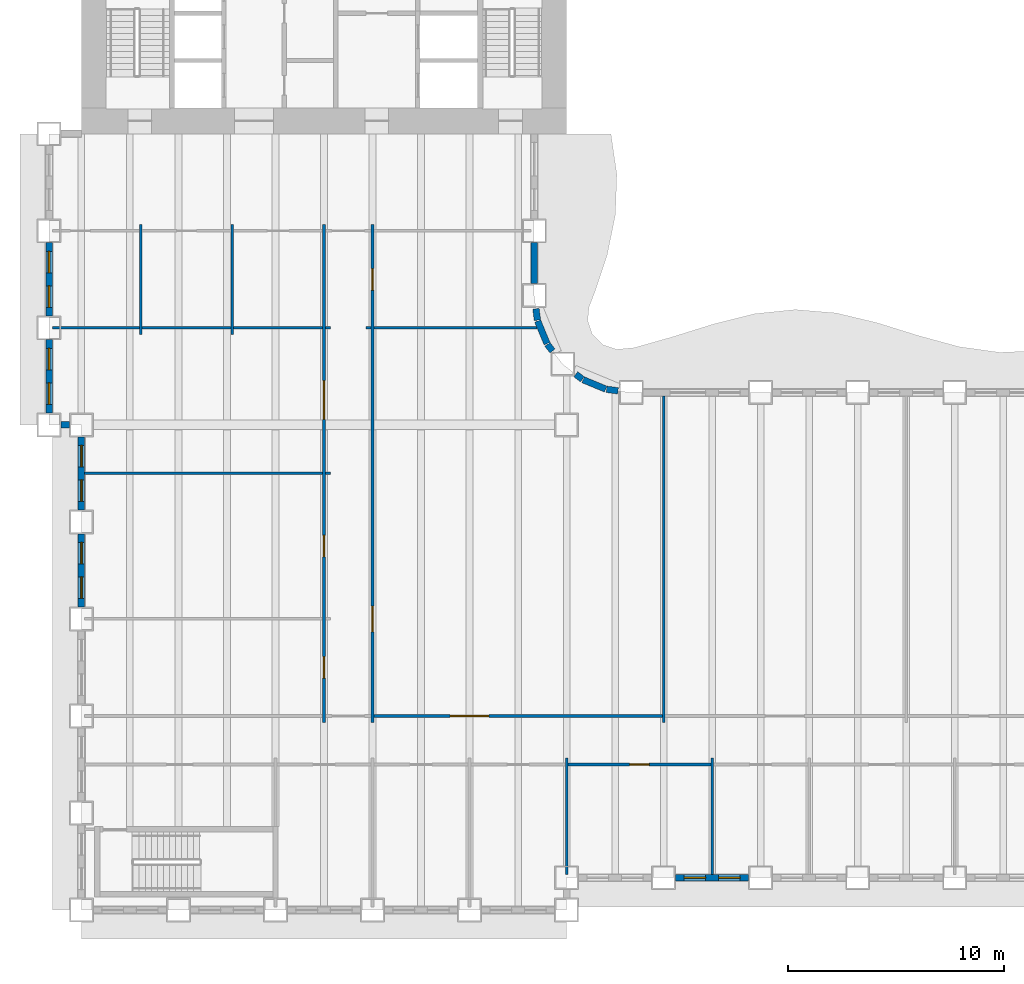
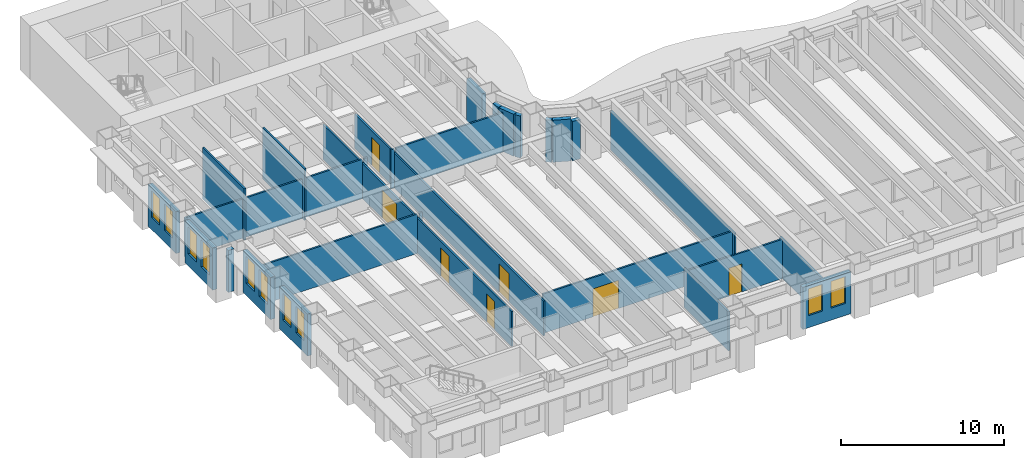
# One storey, part 4 of 17: 30 walls, 10 windows, 7 doors, 17 openings.
"""IFC4 building model written with IfcOpenShell, lengths in metres."""

from ifc_helpers import new_model, si_unit, direction, frame, frame_2d, origin, place, context, subcontext, project, spatial, rectangle, extrude, material, layer, layer_set, type_object, element, fill, save


model = new_model("IFC4")

# Units and contexts
model_context = context("Model", 3, precision=1e-05, world=origin(), true_north=direction((0.0, 1.0)))
body_context = subcontext(model_context, "Body", "Model", "MODEL_VIEW")
ifc_project = project(units=[si_unit("LENGTHUNIT", "METRE"), si_unit("AREAUNIT", "SQUARE_METRE"), si_unit("VOLUMEUNIT", "CUBIC_METRE"), si_unit("PLANEANGLEUNIT", "RADIAN"), si_unit("MASSUNIT", "GRAM", prefix="KILO")], contexts=[model_context])

# Site, building, storey
site_placement = place(None, origin())
site = spatial("IfcSite", under=ifc_project, at=site_placement, CompositionType="ELEMENT")
building_placement = place(site_placement, origin())
building = spatial("IfcBuilding", under=site, at=building_placement, Name="Sennacour Bend Tower", CompositionType="ELEMENT")
storey_placement = place(building_placement, frame((0.0, 0.0, 53.0)))
storey = spatial("IfcBuildingStorey", under=building, at=storey_placement, Name="L11", CompositionType="ELEMENT", Elevation=53.0)

# Walls
ifc_material_1 = material(Name="Plasterboard partition on steel studs", Category="steel")
ifc_layer_1 = layer(ifc_material_1, 0.1201171875, Name="Plasterboard partition on steel studs", Category="steel")
ifc_layer_set_1 = layer_set([ifc_layer_1], Name="Plasterboard partition on steel studs")
wall_type_1 = type_object("IfcWallType", Name="Partition 120", PredefinedType="PARTITIONING", material=ifc_layer_set_1)
for number, where, z_axis, x_axis, name in (
    (1, (2.75, 26.699951171875, 0.0), (0.0, 0.0, 1.0), (0.0, 1.0, 0.0), "P-L11-W005a"),
    (2, (7.0, 26.699951171875, 0.0), (0.0, 0.0, 1.0), (0.0, 1.0, 0.0), "P-L11-W009a"),
):
    element("IfcWall", number, at=place(storey_placement, frame(where, z_axis=z_axis, x_axis=x_axis)), inside=storey, type_object=wall_type_1, Name=name, PredefinedType="PARTITIONING", context=body_context, shape_type="SweptSolid", body=[
        extrude(rectangle(XDim=5.10009765625, YDim=0.1201171875, at=frame_2d((2.550048828125, 0.0))), origin(), (0.0, 0.0, 1.0), 3.85009765625),
    ])

# Wall, openings, doors
wall_1_placement = place(storey_placement, frame((11.25, 8.699951171875, 0.0), z_axis=(0.0, 0.0, 1.0), x_axis=(0.0, 1.0, 0.0)))
wall_1 = element("IfcWall", 3, at=wall_1_placement, inside=storey, type_object=wall_type_1, Name="P-L11-W014a", PredefinedType="PARTITIONING", context=body_context, shape_type="SweptSolid", body=[
    extrude(rectangle(XDim=23.10009765625, YDim=0.1201171875, at=frame_2d((11.550048828125, 0.0))), origin(), (0.0, 0.0, 1.0), 2.60009765625),
])
opening_1_placement = place(wall_1_placement, frame((2.050048828125, 0.0, 0.0)))
opening_1 = element("IfcOpeningElement", 4, at=opening_1_placement, cuts=wall_1, Name="Opening OD2", PredefinedType="OPENING", context=body_context, shape_type="SweptSolid", body=[
    extrude(rectangle(XDim=1.0, YDim=2.10009765625, at=frame_2d((0.5, 1.050048828125))), frame((0.0, 0.070068359375, 0.0), z_axis=(0.0, -1.0, 0.0), x_axis=(1.0, 0.0, 0.0)), (0.0, 0.0, 1.0), 0.14013671875),
])
opening_2_placement = place(wall_1_placement, frame((7.675048828125, 0.0, 0.0)))
opening_2 = element("IfcOpeningElement", 5, at=opening_2_placement, cuts=wall_1, Name="Opening OD2", PredefinedType="OPENING", context=body_context, shape_type="SweptSolid", body=[
    extrude(rectangle(XDim=1.0, YDim=2.10009765625, at=frame_2d((0.5, 1.050048828125))), frame((0.0, 0.070068359375, 0.0), z_axis=(0.0, -1.0, 0.0), x_axis=(1.0, 0.0, 0.0)), (0.0, 0.0, 1.0), 0.14013671875),
])
opening_3_placement = place(wall_1_placement, frame((14.054931640625, 0.0, 0.0)))
opening_3 = element("IfcOpeningElement", 6, at=opening_3_placement, cuts=wall_1, Name="Opening OD3", PredefinedType="OPENING", context=body_context, shape_type="SweptSolid", body=[
    extrude(rectangle(XDim=1.800048828125, YDim=2.10009765625, at=frame_2d((0.89990234375, 1.050048828125))), frame((0.0, 0.070068359375, 0.0), z_axis=(0.0, -1.0, 0.0), x_axis=(1.0, 0.0, 0.0)), (0.0, 0.0, 1.0), 0.14013671875),
])
ifc_material_2 = material(Name="Timber", Category="wood")
door_type_1 = type_object("IfcDoorType", Name="DR-OFFICE-1000", OperationType="NOTDEFINED", PredefinedType="DOOR", material=ifc_material_2)
door_1_placement = place(opening_1_placement, origin())
door_1 = element("IfcDoor", 7, at=door_1_placement, inside=storey, type_object=door_type_1, Name="Door", OperationType="SINGLE_SWING_LEFT", OverallHeight=2.10009765625, OverallWidth=1.0, PredefinedType="DOOR", context=body_context, shape_type="SweptSolid", body=[
    extrude(rectangle(XDim=1.0, YDim=2.10009765625, at=frame_2d((0.5, 1.050048828125))), frame((0.0, 0.02490234375, 0.0), z_axis=(0.0, -1.0, 0.0), x_axis=(1.0, 0.0, 0.0)), (0.0, 0.0, 1.0), 0.050048828125),
])
fill(opening_1, door_1)
door_2_placement = place(opening_2_placement, origin())
door_2 = element("IfcDoor", 8, at=door_2_placement, inside=storey, type_object=door_type_1, Name="Door", OperationType="SINGLE_SWING_LEFT", OverallHeight=2.10009765625, OverallWidth=1.0, PredefinedType="DOOR", context=body_context, shape_type="SweptSolid", body=[
    extrude(rectangle(XDim=1.0, YDim=2.10009765625, at=frame_2d((0.5, 1.050048828125))), frame((0.0, 0.02490234375, 0.0), z_axis=(0.0, -1.0, 0.0), x_axis=(1.0, 0.0, 0.0)), (0.0, 0.0, 1.0), 0.050048828125),
])
fill(opening_2, door_2)
door_type_2 = type_object("IfcDoorType", Name="DR-OFFICE-1800", OperationType="NOTDEFINED", PredefinedType="DOOR", material=ifc_material_2)
door_3_placement = place(opening_3_placement, origin())
door_3 = element("IfcDoor", 9, at=door_3_placement, inside=storey, type_object=door_type_2, Name="Door", OperationType="DOUBLE_DOOR_SINGLE_SWING", OverallHeight=2.10009765625, OverallWidth=1.800048828125, PredefinedType="DOOR", context=body_context, shape_type="SweptSolid", body=[
    extrude(rectangle(XDim=1.800048828125, YDim=2.10009765625, at=frame_2d((0.89990234375, 1.050048828125))), frame((0.0, 0.02490234375, 0.0), z_axis=(0.0, -1.0, 0.0), x_axis=(1.0, 0.0, 0.0)), (0.0, 0.0, 1.0), 0.050048828125),
])
fill(opening_3, door_3)

wall_2_placement = place(storey_placement, frame((13.5, 8.699951171875, 0.0), z_axis=(0.0, 0.0, 1.0), x_axis=(0.0, 1.0, 0.0)))
wall_2 = element("IfcWall", 10, at=wall_2_placement, inside=storey, type_object=wall_type_1, Name="P-L11-W017a", PredefinedType="PARTITIONING", context=body_context, shape_type="SweptSolid", body=[
    extrude(rectangle(XDim=23.10009765625, YDim=0.1201171875, at=frame_2d((11.550048828125, 0.0))), origin(), (0.0, 0.0, 1.0), 2.60009765625),
])
opening_4_placement = place(wall_2_placement, frame((20.050048828125, 0.0, 0.0)))
opening_4 = element("IfcOpeningElement", 11, at=opening_4_placement, cuts=wall_2, Name="Opening OD2", PredefinedType="OPENING", context=body_context, shape_type="SweptSolid", body=[
    extrude(rectangle(XDim=1.0, YDim=2.10009765625, at=frame_2d((0.5, 1.050048828125))), frame((0.0, 0.070068359375, 0.0), z_axis=(0.0, -1.0, 0.0), x_axis=(1.0, 0.0, 0.0)), (0.0, 0.0, 1.0), 0.14013671875),
])
opening_5_placement = place(wall_2_placement, frame((4.199951171875, 0.0, 0.0)))
opening_5 = element("IfcOpeningElement", 12, at=opening_5_placement, cuts=wall_2, Name="Opening MD", PredefinedType="OPENING", context=body_context, shape_type="SweptSolid", body=[
    extrude(rectangle(XDim=1.199951171875, YDim=2.10009765625, at=frame_2d((0.60009765625, 1.050048828125))), frame((0.0, 0.070068359375, 0.0), z_axis=(0.0, -1.0, 0.0), x_axis=(1.0, 0.0, 0.0)), (0.0, 0.0, 1.0), 0.14013671875),
])
door_type_3 = type_object("IfcDoorType", Name="DR-MEETING-1200", OperationType="NOTDEFINED", PredefinedType="DOOR", material=ifc_material_2)
door_4_placement = place(opening_5_placement, origin())
door_4 = element("IfcDoor", 13, at=door_4_placement, inside=storey, type_object=door_type_3, Name="Door", OperationType="SINGLE_SWING_LEFT", OverallHeight=2.10009765625, OverallWidth=1.199951171875, PredefinedType="DOOR", context=body_context, shape_type="SweptSolid", body=[
    extrude(rectangle(XDim=1.199951171875, YDim=2.10009765625, at=frame_2d((0.60009765625, 1.050048828125))), frame((0.0, 0.02490234375, 0.0), z_axis=(0.0, -1.0, 0.0), x_axis=(1.0, 0.0, 0.0)), (0.0, 0.0, 1.0), 0.050048828125),
])
fill(opening_5, door_4)
door_5_placement = place(opening_4_placement, origin())
door_5 = element("IfcDoor", 14, at=door_5_placement, inside=storey, type_object=door_type_1, Name="Door", OperationType="SINGLE_SWING_RIGHT", OverallHeight=2.10009765625, OverallWidth=1.0, PredefinedType="DOOR", context=body_context, shape_type="SweptSolid", body=[
    extrude(rectangle(XDim=1.0, YDim=2.10009765625, at=frame_2d((0.5, 1.050048828125))), frame((0.0, 0.02490234375, 0.0), z_axis=(0.0, -1.0, 0.0), x_axis=(1.0, 0.0, 0.0)), (0.0, 0.0, 1.0), 0.050048828125),
])
fill(opening_4, door_5)

# Walls
wall_3_placement = place(storey_placement, frame((22.5, 1.64990234375, 0.0), z_axis=(0.0, 0.0, 1.0), x_axis=(0.0, 1.0, 0.0)))
element("IfcWall", 15, at=wall_3_placement, inside=storey, type_object=wall_type_1, Name="P-L11-W026a", PredefinedType="PARTITIONING", context=body_context, shape_type="SweptSolid", body=[
    extrude(rectangle(XDim=5.400146484375, YDim=0.1201171875, at=frame_2d((2.7001953125, 0.0))), origin(), (0.0, 0.0, 1.0), 2.93798828125),
])
wall_4_placement = place(storey_placement, frame((27.0, 8.699951171875, 0.0), z_axis=(0.0, 0.0, 1.0), x_axis=(0.0, 1.0, 0.0)))
element("IfcWall", 16, at=wall_4_placement, inside=storey, type_object=wall_type_1, Name="P-L11-W027a", PredefinedType="PARTITIONING", context=body_context, shape_type="SweptSolid", body=[
    extrude(rectangle(XDim=15.150146484375, YDim=0.1201171875, at=frame_2d((7.5751953125, 0.0))), origin(), (0.0, 0.0, 1.0), 2.93798828125),
])
wall_5_placement = place(storey_placement, frame((29.25, 1.64990234375, 0.0), z_axis=(0.0, 0.0, 1.0), x_axis=(0.0, 1.0, 0.0)))
element("IfcWall", 17, at=wall_5_placement, inside=storey, type_object=wall_type_1, Name="P-L11-W028a", PredefinedType="PARTITIONING", context=body_context, shape_type="SweptSolid", body=[
    extrude(rectangle(XDim=5.400146484375, YDim=0.1201171875, at=frame_2d((2.7001953125, 0.0))), origin(), (0.0, 0.0, 1.0), 2.93798828125),
])

# Wall, opening, door
wall_6_placement = place(storey_placement, frame((13.56005859375, 9.0, 0.0), z_axis=(0.0, 0.0, 1.0), x_axis=(1.0, 0.0, 0.0)))
wall_6 = element("IfcWall", 18, at=wall_6_placement, inside=storey, type_object=wall_type_1, Name="P-L11-W062ac", PredefinedType="PARTITIONING", context=body_context, shape_type="SweptSolid", body=[
    extrude(rectangle(XDim=13.3798828125, YDim=0.1201171875, at=frame_2d((6.68994140625, 0.0))), origin(), (0.0, 0.0, 1.0), 2.93798828125),
])
opening_6_placement = place(wall_6_placement, frame((3.539794921875, 0.0, 0.0)))
opening_6 = element("IfcOpeningElement", 19, at=opening_6_placement, cuts=wall_6, Name="Opening MD3", PredefinedType="OPENING", context=body_context, shape_type="SweptSolid", body=[
    extrude(rectangle(XDim=1.800048828125, YDim=2.10009765625, at=frame_2d((0.89990234375, 1.050048828125))), frame((0.0, 0.070068359375, 0.0), z_axis=(0.0, -1.0, 0.0), x_axis=(1.0, 0.0, 0.0)), (0.0, 0.0, 1.0), 0.14013671875),
])
door_type_4 = type_object("IfcDoorType", Name="DR-MEETING-1800", OperationType="NOTDEFINED", PredefinedType="DOOR", material=ifc_material_2)
door_6_placement = place(opening_6_placement, origin())
door_6 = element("IfcDoor", 20, at=door_6_placement, inside=storey, type_object=door_type_4, Name="Door", OperationType="DOUBLE_DOOR_SINGLE_SWING", OverallHeight=2.10009765625, OverallWidth=1.800048828125, PredefinedType="DOOR", context=body_context, shape_type="SweptSolid", body=[
    extrude(rectangle(XDim=1.800048828125, YDim=2.10009765625, at=frame_2d((0.89990234375, 1.050048828125))), frame((0.0, 0.02490234375, 0.0), z_axis=(0.0, -1.0, 0.0), x_axis=(1.0, 0.0, 0.0)), (0.0, 0.0, 1.0), 0.050048828125),
])
fill(opening_6, door_6)

# Walls
wall_7_placement = place(storey_placement, frame((0.14990234375, 20.25, 0.0), z_axis=(0.0, 0.0, 1.0), x_axis=(1.0, 0.0, 0.0)))
element("IfcWall", 21, at=wall_7_placement, inside=storey, type_object=wall_type_1, Name="P-L11-W072aa", PredefinedType="PARTITIONING", context=body_context, shape_type="SweptSolid", body=[
    extrude(rectangle(XDim=11.0400390625, YDim=0.1201171875, at=frame_2d((5.52001953125, 0.0))), origin(), (0.0, 0.0, 1.0), 2.93798828125),
])
wall_8_placement = place(storey_placement, frame((11.31005859375, 20.25, 0.0), z_axis=(0.0, 0.0, 1.0), x_axis=(1.0, 0.0, 0.0)))
element("IfcWall", 22, at=wall_8_placement, inside=storey, type_object=wall_type_1, Name="P-L11-W072ab", PredefinedType="PARTITIONING", context=body_context, shape_type="SweptSolid", body=[
    extrude(rectangle(XDim=0.239990234375, YDim=0.1201171875, at=frame_2d((0.1201171875, 0.0))), origin(), (0.0, 0.0, 1.0), 2.93798828125),
])
wall_9_placement = place(storey_placement, frame((-1.35009765625, 27.0, 0.0), z_axis=(0.0, 0.0, 1.0), x_axis=(1.0, 0.0, 0.0)))
element("IfcWall", 23, at=wall_9_placement, inside=storey, type_object=wall_type_1, Name="P-L11-W074aa", PredefinedType="PARTITIONING", context=body_context, shape_type="SweptSolid", body=[
    extrude(rectangle(XDim=4.0400390625, YDim=0.1201171875, at=frame_2d((2.02001953125, 0.0))), origin(), (0.0, 0.0, 1.0), 2.93798828125),
])
for number, where, z_axis, x_axis, name in (
    (24, (2.81005859375, 27.0, 0.0), (0.0, 0.0, 1.0), (1.0, 0.0, 0.0), "P-L11-W074ab"),
    (25, (7.06005859375, 27.0, 0.0), (0.0, 0.0, 1.0), (1.0, 0.0, 0.0), "P-L11-W074ac"),
):
    element("IfcWall", number, at=place(storey_placement, frame(where, z_axis=z_axis, x_axis=x_axis)), inside=storey, type_object=wall_type_1, Name=name, PredefinedType="PARTITIONING", context=body_context, shape_type="SweptSolid", body=[
        extrude(rectangle(XDim=4.1298828125, YDim=0.1201171875, at=frame_2d((2.06494140625, 0.0))), origin(), (0.0, 0.0, 1.0), 2.93798828125),
    ])
for number, where, z_axis, x_axis, name in (
    (26, (11.31005859375, 27.0, 0.0), (0.0, 0.0, 1.0), (1.0, 0.0, 0.0), "P-L11-W074ad"),
    (27, (13.199951171875, 27.0, 0.0), (0.0, 0.0, 1.0), (1.0, 0.0, 0.0), "P-L11-W075aa"),
):
    element("IfcWall", number, at=place(storey_placement, frame(where, z_axis=z_axis, x_axis=x_axis)), inside=storey, type_object=wall_type_1, Name=name, PredefinedType="PARTITIONING", context=body_context, shape_type="SweptSolid", body=[
        extrude(rectangle(XDim=0.239990234375, YDim=0.1201171875, at=frame_2d((0.1201171875, 0.0))), origin(), (0.0, 0.0, 1.0), 2.93798828125),
    ])
wall_10_placement = place(storey_placement, frame((13.56005859375, 27.0, 0.0), z_axis=(0.0, 0.0, 1.0), x_axis=(1.0, 0.0, 0.0)))
element("IfcWall", 28, at=wall_10_placement, inside=storey, type_object=wall_type_1, Name="P-L11-W075ab", PredefinedType="PARTITIONING", context=body_context, shape_type="SweptSolid", body=[
    extrude(rectangle(XDim=7.56982421875, YDim=0.1201171875, at=frame_2d((3.784912109375, 0.0))), origin(), (0.0, 0.0, 1.0), 2.93798828125),
])

# Wall, opening, door
ifc_layer_2 = layer(ifc_material_1, 0.1201171875, Name="Plasterboard partition on steel studs", Category="steel")
ifc_layer_set_2 = layer_set([ifc_layer_2], Name="Plasterboard partition on steel studs")
wall_type_2 = type_object("IfcWallType", Name="Partition 120 EI 60", PredefinedType="PARTITIONING", material=ifc_layer_set_2)
wall_11_placement = place(storey_placement, frame((22.56005859375, 6.75, 0.0), z_axis=(0.0, 0.0, 1.0), x_axis=(1.0, 0.0, 0.0)))
wall_11 = element("IfcWall", 29, at=wall_11_placement, inside=storey, type_object=wall_type_2, Name="P-L11-W061ae", PredefinedType="PARTITIONING", context=body_context, shape_type="SweptSolid", body=[
    extrude(rectangle(XDim=6.6298828125, YDim=0.1201171875, at=frame_2d((3.31494140625, 0.0))), origin(), (0.0, 0.0, 1.0), 2.93798828125),
])
opening_7_placement = place(wall_11_placement, frame((2.864990234375, 0.0, 0.0)))
opening_7 = element("IfcOpeningElement", 30, at=opening_7_placement, cuts=wall_11, Name="Opening SV", PredefinedType="OPENING", context=body_context, shape_type="SweptSolid", body=[
    extrude(rectangle(XDim=0.89990234375, YDim=2.10009765625, at=frame_2d((0.449951171875, 1.050048828125))), frame((0.0, 0.070068359375, 0.0), z_axis=(0.0, -1.0, 0.0), x_axis=(1.0, 0.0, 0.0)), (0.0, 0.0, 1.0), 0.14013671875),
])
ifc_material_3 = material(Name="Painted steel", Category="steel")
door_type_5 = type_object("IfcDoorType", Name="DR-SERVICE-900", OperationType="NOTDEFINED", PredefinedType="DOOR", material=ifc_material_3)
door_7_placement = place(opening_7_placement, origin())
door_7 = element("IfcDoor", 31, at=door_7_placement, inside=storey, type_object=door_type_5, Name="Door", OperationType="SINGLE_SWING_LEFT", OverallHeight=2.10009765625, OverallWidth=0.89990234375, PredefinedType="DOOR", context=body_context, shape_type="SweptSolid", body=[
    extrude(rectangle(XDim=0.89990234375, YDim=2.10009765625, at=frame_2d((0.449951171875, 1.050048828125))), frame((0.0, 0.02490234375, 0.0), z_axis=(0.0, -1.0, 0.0), x_axis=(1.0, 0.0, 0.0)), (0.0, 0.0, 1.0), 0.050048828125),
])
fill(opening_7, door_7)

# Wall, openings, windows
ifc_material_4 = material(Name="Warm limestone cladding", Category="masonry")
ifc_layer_3 = layer(ifc_material_4, 0.050048828125, Name="Warm limestone cladding", Category="masonry")
ifc_material_5 = material(Name="Precast concrete C40/50", Category="concrete")
ifc_layer_4 = layer(ifc_material_5, 0.25, Name="Precast concrete C40/50", Category="concrete")
ifc_layer_set_3 = layer_set([ifc_layer_3, ifc_layer_4], Name="Precast concrete C40/50 with limestone cladding")
wall_type_3 = type_object("IfcWallType", Name="STONE-CLAD PRECAST SPANDREL 300", PredefinedType="STANDARD", material=ifc_layer_set_3)
wall_12_placement = place(storey_placement, frame((27.550048828125, 1.5, 0.0), z_axis=(0.0, 0.0, 1.0), x_axis=(1.0, 0.0, 0.0)))
wall_12 = element("IfcWall", 32, at=wall_12_placement, inside=storey, type_object=wall_type_3, Name="Stone spandrel and pier wall L11 02.01", PredefinedType="STANDARD", context=body_context, shape_type="SweptSolid", body=[
    extrude(rectangle(XDim=3.39990234375, YDim=0.300048828125, at=frame_2d((1.699951171875, 0.0))), origin(), (0.0, 0.0, 1.0), 3.14404296875),
])
opening_8_placement = place(wall_12_placement, frame((0.39990234375, 0.0, 0.89990234375)))
opening_8 = element("IfcOpeningElement", 33, at=opening_8_placement, cuts=wall_12, Name="Opening W8", PredefinedType="OPENING", context=body_context, shape_type="SweptSolid", body=[
    extrude(rectangle(XDim=1.0, YDim=2.0, at=frame_2d((0.5, 1.0))), frame((0.0, 0.16015625, 0.0), z_axis=(0.0, -1.0, 0.0), x_axis=(1.0, 0.0, 0.0)), (0.0, 0.0, 1.0), 0.320068359375),
])
opening_9_placement = place(wall_12_placement, frame((2.0, 0.0, 0.89990234375)))
opening_9 = element("IfcOpeningElement", 34, at=opening_9_placement, cuts=wall_12, Name="Opening W8", PredefinedType="OPENING", context=body_context, shape_type="SweptSolid", body=[
    extrude(rectangle(XDim=1.0, YDim=2.0, at=frame_2d((0.5, 1.0))), frame((0.0, 0.16015625, 0.0), z_axis=(0.0, -1.0, 0.0), x_axis=(1.0, 0.0, 0.0)), (0.0, 0.0, 1.0), 0.320068359375),
])
ifc_material_6 = material(Name="Clear low-emissivity glass", Category="glass")
window_type = type_object("IfcWindowType", Name="WIN-RIBBON-1000x2000", PartitioningType="SINGLE_PANEL", PredefinedType="WINDOW", material=ifc_material_6)
window_1_placement = place(opening_8_placement, origin())
window_1 = element("IfcWindow", 35, at=window_1_placement, inside=storey, type_object=window_type, Name="Ribbon window L11 02.01.0", OverallHeight=2.0, OverallWidth=1.0, PartitioningType="SINGLE_PANEL", PredefinedType="WINDOW", context=body_context, shape_type="SweptSolid", body=[
    extrude(rectangle(XDim=1.0, YDim=2.0, at=frame_2d((0.5, 1.0))), frame((0.0, 0.030029296875, 0.0), z_axis=(0.0, -1.0, 0.0), x_axis=(1.0, 0.0, 0.0)), (0.0, 0.0, 1.0), 0.06005859375),
])
fill(opening_8, window_1)
window_2_placement = place(opening_9_placement, origin())
window_2 = element("IfcWindow", 36, at=window_2_placement, inside=storey, type_object=window_type, Name="Ribbon window L11 02.01.1", OverallHeight=2.0, OverallWidth=1.0, PartitioningType="SINGLE_PANEL", PredefinedType="WINDOW", context=body_context, shape_type="SweptSolid", body=[
    extrude(rectangle(XDim=1.0, YDim=2.0, at=frame_2d((0.5, 1.0))), frame((0.0, 0.030029296875, 0.0), z_axis=(0.0, -1.0, 0.0), x_axis=(1.0, 0.0, 0.0)), (0.0, 0.0, 1.0), 0.06005859375),
])
fill(opening_9, window_2)

# Walls
wall_13_placement = place(storey_placement, frame((24.88818359375, 24.08056640625, 0.0), z_axis=(0.0, 0.0, 1.0), x_axis=(-0.991417173479, 0.130736330569, 0.0)))
element("IfcWall", 37, at=wall_13_placement, inside=storey, type_object=wall_type_3, Name="Stone spandrel and pier wall L11 09.00", PredefinedType="STANDARD", context=body_context, shape_type="SweptSolid", body=[
    extrude(rectangle(XDim=0.537841796875, YDim=0.300048828125, at=frame_2d((0.26904296875, 0.0))), origin(), (0.0, 0.0, 1.0), 2.93798828125),
])
wall_14_placement = place(storey_placement, frame((24.317138671875, 24.160888671875, 0.0), z_axis=(0.0, 0.0, 1.0), x_axis=(-0.923914616768, 0.382598720491, 0.0)))
element("IfcWall", 38, at=wall_14_placement, inside=storey, type_object=wall_type_3, Name="Stone spandrel and pier wall L11 10.00", PredefinedType="STANDARD", context=body_context, shape_type="SweptSolid", body=[
    extrude(rectangle(XDim=1.13525390625, YDim=0.300048828125, at=frame_2d((0.567626953125, 0.0))), origin(), (0.0, 0.0, 1.0), 3.14404296875),
])
for number, where, z_axis, x_axis, name in (
    (39, (23.234375, 24.614990234375, 0.0), (0.0, 0.0, 1.0), (-0.79354495224, 0.60851163405, 0.0), "Stone spandrel and pier wall L11 11.00"),
    (40, (21.8486328125, 25.9296875, 0.0), (0.0, 0.0, 1.0), (-0.60851163405, 0.79354495224, 0.0), "Stone spandrel and pier wall L11 12.00"),
):
    element("IfcWall", number, at=place(storey_placement, frame(where, z_axis=z_axis, x_axis=x_axis)), inside=storey, type_object=wall_type_3, Name=name, PredefinedType="STANDARD", context=body_context, shape_type="SweptSolid", body=[
        extrude(rectangle(XDim=0.384033203125, YDim=0.300048828125, at=frame_2d((0.19189453125, 0.0))), origin(), (0.0, 0.0, 1.0), 3.14404296875),
    ])
wall_15_placement = place(storey_placement, frame((21.59521484375, 26.268310546875, 0.0), z_axis=(0.0, 0.0, 1.0), x_axis=(-0.382598720491, 0.923914616768, 0.0)))
element("IfcWall", 41, at=wall_15_placement, inside=storey, type_object=wall_type_3, Name="Stone spandrel and pier wall L11 13.00", PredefinedType="STANDARD", context=body_context, shape_type="SweptSolid", body=[
    extrude(rectangle(XDim=1.13525390625, YDim=0.300048828125, at=frame_2d((0.567626953125, 0.0))), origin(), (0.0, 0.0, 1.0), 3.14404296875),
])
wall_16_placement = place(storey_placement, frame((21.15087890625, 27.35498046875, 0.0), z_axis=(0.0, 0.0, 1.0), x_axis=(-0.130736330569, 0.991417173479, 0.0)))
element("IfcWall", 42, at=wall_16_placement, inside=storey, type_object=wall_type_3, Name="Stone spandrel and pier wall L11 14.00", PredefinedType="STANDARD", context=body_context, shape_type="SweptSolid", body=[
    extrude(rectangle(XDim=0.537841796875, YDim=0.300048828125, at=frame_2d((0.26904296875, 0.0))), origin(), (0.0, 0.0, 1.0), 3.14404296875),
])
wall_17_placement = place(storey_placement, frame((21.0, 29.050048828125, 0.0), z_axis=(0.0, 0.0, 1.0), x_axis=(0.0, 1.0, 0.0)))
element("IfcWall", 43, at=wall_17_placement, inside=storey, type_object=wall_type_3, Name="Stone spandrel and pier wall L11 15.00", PredefinedType="STANDARD", context=body_context, shape_type="SweptSolid", body=[
    extrude(rectangle(XDim=1.89990234375, YDim=0.300048828125, at=frame_2d((0.949951171875, 0.0))), origin(), (0.0, 0.0, 1.0), 3.14404296875),
])

# Wall, openings, windows
wall_18_placement = place(storey_placement, frame((-1.5, 30.949951171875, 0.0), z_axis=(0.0, 0.0, 1.0), x_axis=(0.0, -1.0, 0.0)))
wall_18 = element("IfcWall", 44, at=wall_18_placement, inside=storey, type_object=wall_type_3, Name="Stone spandrel and pier wall L11 21.01", PredefinedType="STANDARD", context=body_context, shape_type="SweptSolid", body=[
    extrude(rectangle(XDim=3.39990234375, YDim=0.300048828125, at=frame_2d((1.699951171875, 0.0))), origin(), (0.0, 0.0, 1.0), 3.14404296875),
])
opening_10_placement = place(wall_18_placement, frame((0.39990234375, 0.0, 0.89990234375)))
opening_10 = element("IfcOpeningElement", 45, at=opening_10_placement, cuts=wall_18, Name="Opening W8", PredefinedType="OPENING", context=body_context, shape_type="SweptSolid", body=[
    extrude(rectangle(XDim=1.0, YDim=2.0, at=frame_2d((0.5, 1.0))), frame((0.0, 0.16015625, 0.0), z_axis=(0.0, -1.0, 0.0), x_axis=(1.0, 0.0, 0.0)), (0.0, 0.0, 1.0), 0.320068359375),
])
opening_11_placement = place(wall_18_placement, frame((2.0, 0.0, 0.89990234375)))
opening_11 = element("IfcOpeningElement", 46, at=opening_11_placement, cuts=wall_18, Name="Opening W8", PredefinedType="OPENING", context=body_context, shape_type="SweptSolid", body=[
    extrude(rectangle(XDim=1.0, YDim=2.0, at=frame_2d((0.5, 1.0))), frame((0.0, 0.16015625, 0.0), z_axis=(0.0, -1.0, 0.0), x_axis=(1.0, 0.0, 0.0)), (0.0, 0.0, 1.0), 0.320068359375),
])
window_3_placement = place(opening_10_placement, origin())
window_3 = element("IfcWindow", 47, at=window_3_placement, inside=storey, type_object=window_type, Name="Ribbon window L11 21.01.0", OverallHeight=2.0, OverallWidth=1.0, PartitioningType="SINGLE_PANEL", PredefinedType="WINDOW", context=body_context, shape_type="SweptSolid", body=[
    extrude(rectangle(XDim=1.0, YDim=2.0, at=frame_2d((0.5, 1.0))), frame((0.0, 0.030029296875, 0.0), z_axis=(0.0, -1.0, 0.0), x_axis=(1.0, 0.0, 0.0)), (0.0, 0.0, 1.0), 0.06005859375),
])
fill(opening_10, window_3)
window_4_placement = place(opening_11_placement, origin())
window_4 = element("IfcWindow", 48, at=window_4_placement, inside=storey, type_object=window_type, Name="Ribbon window L11 21.01.1", OverallHeight=2.0, OverallWidth=1.0, PartitioningType="SINGLE_PANEL", PredefinedType="WINDOW", context=body_context, shape_type="SweptSolid", body=[
    extrude(rectangle(XDim=1.0, YDim=2.0, at=frame_2d((0.5, 1.0))), frame((0.0, 0.030029296875, 0.0), z_axis=(0.0, -1.0, 0.0), x_axis=(1.0, 0.0, 0.0)), (0.0, 0.0, 1.0), 0.06005859375),
])
fill(opening_11, window_4)

wall_19_placement = place(storey_placement, frame((-1.5, 26.449951171875, 0.0), z_axis=(0.0, 0.0, 1.0), x_axis=(0.0, -1.0, 0.0)))
wall_19 = element("IfcWall", 49, at=wall_19_placement, inside=storey, type_object=wall_type_3, Name="Stone spandrel and pier wall L11 21.02", PredefinedType="STANDARD", context=body_context, shape_type="SweptSolid", body=[
    extrude(rectangle(XDim=3.39990234375, YDim=0.300048828125, at=frame_2d((1.699951171875, 0.0))), origin(), (0.0, 0.0, 1.0), 3.14404296875),
])
opening_12_placement = place(wall_19_placement, frame((0.39990234375, 0.0, 0.89990234375)))
opening_12 = element("IfcOpeningElement", 50, at=opening_12_placement, cuts=wall_19, Name="Opening W8", PredefinedType="OPENING", context=body_context, shape_type="SweptSolid", body=[
    extrude(rectangle(XDim=1.0, YDim=2.0, at=frame_2d((0.5, 1.0))), frame((0.0, 0.16015625, 0.0), z_axis=(0.0, -1.0, 0.0), x_axis=(1.0, 0.0, 0.0)), (0.0, 0.0, 1.0), 0.320068359375),
])
opening_13_placement = place(wall_19_placement, frame((2.0, 0.0, 0.89990234375)))
opening_13 = element("IfcOpeningElement", 51, at=opening_13_placement, cuts=wall_19, Name="Opening W8", PredefinedType="OPENING", context=body_context, shape_type="SweptSolid", body=[
    extrude(rectangle(XDim=1.0, YDim=2.0, at=frame_2d((0.5, 1.0))), frame((0.0, 0.16015625, 0.0), z_axis=(0.0, -1.0, 0.0), x_axis=(1.0, 0.0, 0.0)), (0.0, 0.0, 1.0), 0.320068359375),
])
window_5_placement = place(opening_12_placement, origin())
window_5 = element("IfcWindow", 52, at=window_5_placement, inside=storey, type_object=window_type, Name="Ribbon window L11 21.02.0", OverallHeight=2.0, OverallWidth=1.0, PartitioningType="SINGLE_PANEL", PredefinedType="WINDOW", context=body_context, shape_type="SweptSolid", body=[
    extrude(rectangle(XDim=1.0, YDim=2.0, at=frame_2d((0.5, 1.0))), frame((0.0, 0.030029296875, 0.0), z_axis=(0.0, -1.0, 0.0), x_axis=(1.0, 0.0, 0.0)), (0.0, 0.0, 1.0), 0.06005859375),
])
fill(opening_12, window_5)
window_6_placement = place(opening_13_placement, origin())
window_6 = element("IfcWindow", 53, at=window_6_placement, inside=storey, type_object=window_type, Name="Ribbon window L11 21.02.1", OverallHeight=2.0, OverallWidth=1.0, PartitioningType="SINGLE_PANEL", PredefinedType="WINDOW", context=body_context, shape_type="SweptSolid", body=[
    extrude(rectangle(XDim=1.0, YDim=2.0, at=frame_2d((0.5, 1.0))), frame((0.0, 0.030029296875, 0.0), z_axis=(0.0, -1.0, 0.0), x_axis=(1.0, 0.0, 0.0)), (0.0, 0.0, 1.0), 0.06005859375),
])
fill(opening_13, window_6)

# Wall
wall_20_placement = place(storey_placement, frame((-0.949951171875, 22.5, 0.0), z_axis=(0.0, 0.0, 1.0), x_axis=(1.0, 0.0, 0.0)))
element("IfcWall", 54, at=wall_20_placement, inside=storey, type_object=wall_type_3, Name="Stone spandrel and pier wall L11 22.00", PredefinedType="STANDARD", context=body_context, shape_type="SweptSolid", body=[
    extrude(rectangle(XDim=0.39990234375, YDim=0.300048828125, at=frame_2d((0.199951171875, 0.0))), origin(), (0.0, 0.0, 1.0), 3.14404296875),
])

# Wall, openings, windows
wall_21_placement = place(storey_placement, frame((0.0, 21.949951171875, 0.0), z_axis=(0.0, 0.0, 1.0), x_axis=(0.0, -1.0, 0.0)))
wall_21 = element("IfcWall", 55, at=wall_21_placement, inside=storey, type_object=wall_type_3, Name="Stone spandrel and pier wall L11 23.00", PredefinedType="STANDARD", context=body_context, shape_type="SweptSolid", body=[
    extrude(rectangle(XDim=3.39990234375, YDim=0.300048828125, at=frame_2d((1.699951171875, 0.0))), origin(), (0.0, 0.0, 1.0), 3.14404296875),
])
opening_14_placement = place(wall_21_placement, frame((0.39990234375, 0.0, 0.89990234375)))
opening_14 = element("IfcOpeningElement", 56, at=opening_14_placement, cuts=wall_21, Name="Opening W8", PredefinedType="OPENING", context=body_context, shape_type="SweptSolid", body=[
    extrude(rectangle(XDim=1.0, YDim=2.0, at=frame_2d((0.5, 1.0))), frame((0.0, 0.16015625, 0.0), z_axis=(0.0, -1.0, 0.0), x_axis=(1.0, 0.0, 0.0)), (0.0, 0.0, 1.0), 0.320068359375),
])
opening_15_placement = place(wall_21_placement, frame((2.0, 0.0, 0.89990234375)))
opening_15 = element("IfcOpeningElement", 57, at=opening_15_placement, cuts=wall_21, Name="Opening W8", PredefinedType="OPENING", context=body_context, shape_type="SweptSolid", body=[
    extrude(rectangle(XDim=1.0, YDim=2.0, at=frame_2d((0.5, 1.0))), frame((0.0, 0.16015625, 0.0), z_axis=(0.0, -1.0, 0.0), x_axis=(1.0, 0.0, 0.0)), (0.0, 0.0, 1.0), 0.320068359375),
])
window_7_placement = place(opening_14_placement, origin())
window_7 = element("IfcWindow", 58, at=window_7_placement, inside=storey, type_object=window_type, Name="Ribbon window L11 23.00.0", OverallHeight=2.0, OverallWidth=1.0, PartitioningType="SINGLE_PANEL", PredefinedType="WINDOW", context=body_context, shape_type="SweptSolid", body=[
    extrude(rectangle(XDim=1.0, YDim=2.0, at=frame_2d((0.5, 1.0))), frame((0.0, 0.030029296875, 0.0), z_axis=(0.0, -1.0, 0.0), x_axis=(1.0, 0.0, 0.0)), (0.0, 0.0, 1.0), 0.06005859375),
])
fill(opening_14, window_7)
window_8_placement = place(opening_15_placement, origin())
window_8 = element("IfcWindow", 59, at=window_8_placement, inside=storey, type_object=window_type, Name="Ribbon window L11 23.00.1", OverallHeight=2.0, OverallWidth=1.0, PartitioningType="SINGLE_PANEL", PredefinedType="WINDOW", context=body_context, shape_type="SweptSolid", body=[
    extrude(rectangle(XDim=1.0, YDim=2.0, at=frame_2d((0.5, 1.0))), frame((0.0, 0.030029296875, 0.0), z_axis=(0.0, -1.0, 0.0), x_axis=(1.0, 0.0, 0.0)), (0.0, 0.0, 1.0), 0.06005859375),
])
fill(opening_15, window_8)

wall_22_placement = place(storey_placement, frame((0.0, 17.449951171875, 0.0), z_axis=(0.0, 0.0, 1.0), x_axis=(0.0, -1.0, 0.0)))
wall_22 = element("IfcWall", 60, at=wall_22_placement, inside=storey, type_object=wall_type_3, Name="Stone spandrel and pier wall L11 23.01", PredefinedType="STANDARD", context=body_context, shape_type="SweptSolid", body=[
    extrude(rectangle(XDim=3.39990234375, YDim=0.300048828125, at=frame_2d((1.699951171875, 0.0))), origin(), (0.0, 0.0, 1.0), 3.14404296875),
])
opening_16_placement = place(wall_22_placement, frame((0.39990234375, 0.0, 0.89990234375)))
opening_16 = element("IfcOpeningElement", 61, at=opening_16_placement, cuts=wall_22, Name="Opening W8", PredefinedType="OPENING", context=body_context, shape_type="SweptSolid", body=[
    extrude(rectangle(XDim=1.0, YDim=2.0, at=frame_2d((0.5, 1.0))), frame((0.0, 0.16015625, 0.0), z_axis=(0.0, -1.0, 0.0), x_axis=(1.0, 0.0, 0.0)), (0.0, 0.0, 1.0), 0.320068359375),
])
opening_17_placement = place(wall_22_placement, frame((2.0, 0.0, 0.89990234375)))
opening_17 = element("IfcOpeningElement", 62, at=opening_17_placement, cuts=wall_22, Name="Opening W8", PredefinedType="OPENING", context=body_context, shape_type="SweptSolid", body=[
    extrude(rectangle(XDim=1.0, YDim=2.0, at=frame_2d((0.5, 1.0))), frame((0.0, 0.16015625, 0.0), z_axis=(0.0, -1.0, 0.0), x_axis=(1.0, 0.0, 0.0)), (0.0, 0.0, 1.0), 0.320068359375),
])
window_9_placement = place(opening_16_placement, origin())
window_9 = element("IfcWindow", 63, at=window_9_placement, inside=storey, type_object=window_type, Name="Ribbon window L11 23.01.0", OverallHeight=2.0, OverallWidth=1.0, PartitioningType="SINGLE_PANEL", PredefinedType="WINDOW", context=body_context, shape_type="SweptSolid", body=[
    extrude(rectangle(XDim=1.0, YDim=2.0, at=frame_2d((0.5, 1.0))), frame((0.0, 0.030029296875, 0.0), z_axis=(0.0, -1.0, 0.0), x_axis=(1.0, 0.0, 0.0)), (0.0, 0.0, 1.0), 0.06005859375),
])
fill(opening_16, window_9)
window_10_placement = place(opening_17_placement, origin())
window_10 = element("IfcWindow", 64, at=window_10_placement, inside=storey, type_object=window_type, Name="Ribbon window L11 23.01.1", OverallHeight=2.0, OverallWidth=1.0, PartitioningType="SINGLE_PANEL", PredefinedType="WINDOW", context=body_context, shape_type="SweptSolid", body=[
    extrude(rectangle(XDim=1.0, YDim=2.0, at=frame_2d((0.5, 1.0))), frame((0.0, 0.030029296875, 0.0), z_axis=(0.0, -1.0, 0.0), x_axis=(1.0, 0.0, 0.0)), (0.0, 0.0, 1.0), 0.06005859375),
])
fill(opening_17, window_10)

save(model, "model.ifc")
